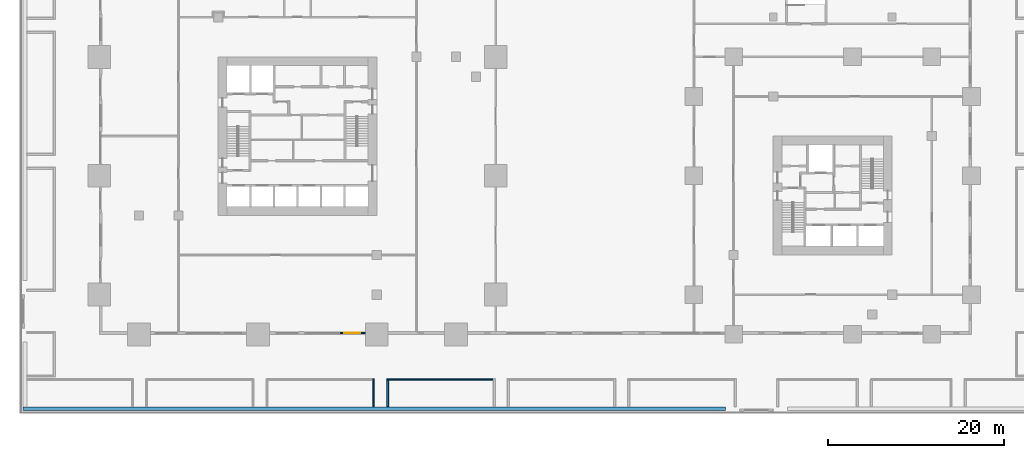
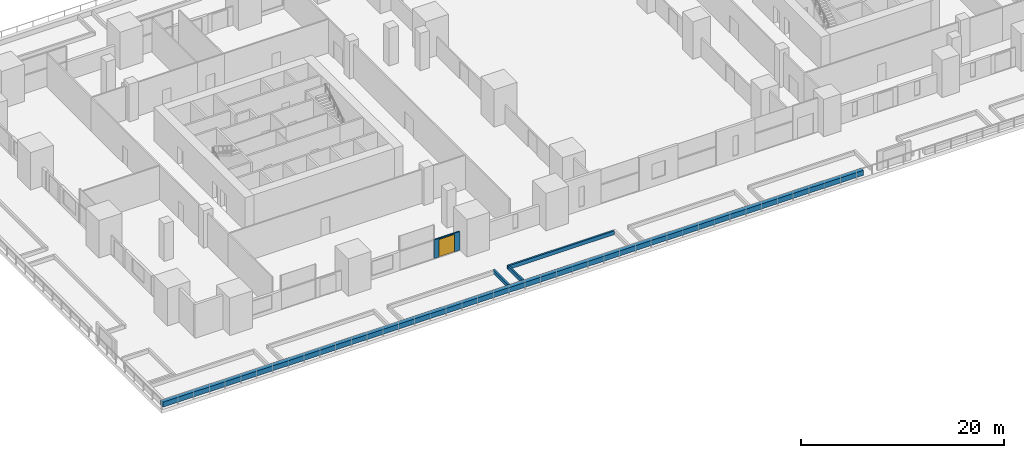
# One storey, part 15 of 26: 5 walls, 1 door, 1 opening.
"""IFC4 building model written with IfcOpenShell, lengths in metres."""

from ifc_helpers import new_model, si_unit, direction, frame, frame_2d, origin, place, context, subcontext, project, spatial, rectangle, extrude, material, layer, layer_set, type_object, element, fill, save


model = new_model("IFC4")

# Units and contexts
model_context = context("Model", 3, precision=1e-05, world=origin(), true_north=direction((0.0, 1.0)))
body_context = subcontext(model_context, "Body", "Model", "MODEL_VIEW")
ifc_project = project(units=[si_unit("LENGTHUNIT", "METRE"), si_unit("AREAUNIT", "SQUARE_METRE"), si_unit("VOLUMEUNIT", "CUBIC_METRE"), si_unit("PLANEANGLEUNIT", "RADIAN"), si_unit("MASSUNIT", "GRAM", prefix="KILO")], contexts=[model_context])

# Site, building, storey
site_placement = place(None, origin())
site = spatial("IfcSite", under=ifc_project, at=site_placement, CompositionType="ELEMENT")
building_placement = place(site_placement, origin())
building = spatial("IfcBuilding", under=site, at=building_placement, Name="Altepetl Exchange Towers", CompositionType="ELEMENT")
storey_placement = place(building_placement, frame((0.0, 0.0, 16.5)))
storey = spatial("IfcBuildingStorey", under=building, at=storey_placement, Name="L03 Podium terrace", CompositionType="ELEMENT", Elevation=16.5)

# Wall, opening, door
ifc_material_1 = material(Name="Aluminium composite cladding", Category="aluminium")
ifc_layer_1 = layer(ifc_material_1, 0.14990234375)
ifc_layer_set_1 = layer_set([ifc_layer_1], Name="Aluminium composite cladding")
wall_type_1 = type_object("IfcWallType", Name="Infill wall 150 aluminium panel", PredefinedType="SOLIDWALL", material=ifc_layer_set_1)
wall_1_placement = place(storey_placement, frame((54.300048828125, 27.14990234375, 0.0)))
wall_1 = element("IfcWall", 1, at=wall_1_placement, inside=storey, type_object=wall_type_1, Name="Door bay wall", PredefinedType="SOLIDWALL", context=body_context, shape_type="SweptSolid", body=[
    extrude(rectangle(XDim=2.89990234375, YDim=0.14990234375, at=frame_2d((1.449951171875, 0.0))), origin(), (0.0, 0.0, 1.0), 2.25),
])
opening_placement = place(wall_1_placement, frame((0.5, 0.0, 0.0)))
opening = element("IfcOpeningElement", 2, at=opening_placement, cuts=wall_1, Name="Opening L03.E09", PredefinedType="OPENING", context=body_context, shape_type="SweptSolid", body=[
    extrude(rectangle(XDim=1.800048828125, YDim=2.10009765625, at=frame_2d((0.89990234375, 1.050048828125))), frame((0.0, 0.0849609375, 0.0), z_axis=(0.0, -1.0, 0.0), x_axis=(1.0, 0.0, 0.0)), (0.0, 0.0, 1.0), 0.169921875),
])
ifc_material_2 = material(Name="Aluminium 6063-T6 and glass", Category="aluminium")
door_type = type_object("IfcDoorType", Name="Glazed door pair 1800x2100", OperationType="DOUBLE_DOOR_DOUBLE_SWING", PredefinedType="NOTDEFINED", material=ifc_material_2)
door_placement = place(opening_placement, frame((1.800048828125, 0.0, 0.0), x_axis=(-1.0, 0.0, 0.0)))
door = element("IfcDoor", 3, at=door_placement, inside=storey, type_object=door_type, Name="Terrace door", OperationType="DOUBLE_DOOR_DOUBLE_SWING", OverallHeight=2.10009765625, OverallWidth=1.800048828125, PredefinedType="NOTDEFINED", context=body_context, shape_type="SweptSolid", body=[
    extrude(rectangle(XDim=1.800048828125, YDim=2.10009765625, at=frame_2d((0.89990234375, 1.050048828125))), frame((0.0, 0.02490234375, 0.0), z_axis=(0.0, -1.0, 0.0), x_axis=(1.0, 0.0, 0.0)), (0.0, 0.0, 1.0), 0.050048828125),
])
fill(opening, door)

# Walls
ifc_material_3 = material(Name="Concrete C30/37", Category="concrete")
ifc_layer_2 = layer(ifc_material_3, 0.449951171875)
ifc_layer_set_2 = layer_set([ifc_layer_2], Name="Concrete C30/37")
wall_type_2 = type_object("IfcWallType", Name="Planter wall 450 concrete", PredefinedType="SOLIDWALL", material=ifc_layer_set_2)
wall_2_placement = place(storey_placement, frame((18.324951171875, 18.550048828125, 0.0)))
element("IfcWall", 4, at=wall_2_placement, inside=storey, type_object=wall_type_2, Name="Planter bed wall", PredefinedType="SOLIDWALL", context=body_context, shape_type="SweptSolid", body=[
    extrude(rectangle(XDim=79.782470703125, YDim=0.449951171875, at=frame_2d((39.89111328125, 0.0))), origin(), (0.0, 0.0, 1.0), 0.60009765625),
])
ifc_material_4 = material(Name="Reinforced concrete C35/45", Category="concrete")
ifc_layer_3 = layer(ifc_material_4, 0.199951171875)
ifc_layer_set_3 = layer_set([ifc_layer_3], Name="Reinforced concrete C35/45")
wall_type_3 = type_object("IfcWallType", Name="Planting bed curb 200", PredefinedType="SOLIDWALL", material=ifc_layer_set_3)
wall_3_placement = place(storey_placement, frame((58.137451171875, 18.77490234375, 0.0), z_axis=(0.0, 0.0, 1.0), x_axis=(0.0, 1.0, 0.0)))
element("IfcWall", 5, at=wall_3_placement, inside=storey, type_object=wall_type_3, Name="wall:P:L03:CB06e", PredefinedType="SOLIDWALL", context=body_context, shape_type="SweptSolid", body=[
    extrude(rectangle(XDim=3.2001953125, YDim=0.199951171875, at=frame_2d((1.60009765625, 0.0))), origin(), (0.0, 0.0, 1.0), 0.449951171875),
])
wall_4_placement = place(storey_placement, frame((59.637451171875, 21.875, 0.0)))
element("IfcWall", 6, at=wall_4_placement, inside=storey, type_object=wall_type_3, Name="wall:P:L03:CB07n", PredefinedType="SOLIDWALL", context=body_context, shape_type="SweptSolid", body=[
    extrude(rectangle(XDim=12.087646484375, YDim=0.199951171875, at=frame_2d((6.0439453125, 0.0))), origin(), (0.0, 0.0, 1.0), 0.449951171875),
])
wall_5_placement = place(storey_placement, frame((59.737548828125, 18.77490234375, 0.0), z_axis=(0.0, 0.0, 1.0), x_axis=(0.0, 1.0, 0.0)))
element("IfcWall", 7, at=wall_5_placement, inside=storey, type_object=wall_type_3, Name="wall:P:L03:CB07w", PredefinedType="SOLIDWALL", context=body_context, shape_type="SweptSolid", body=[
    extrude(rectangle(XDim=3.0, YDim=0.199951171875, at=frame_2d((1.5, 0.0))), origin(), (0.0, 0.0, 1.0), 0.449951171875),
])

save(model, "model.ifc")
